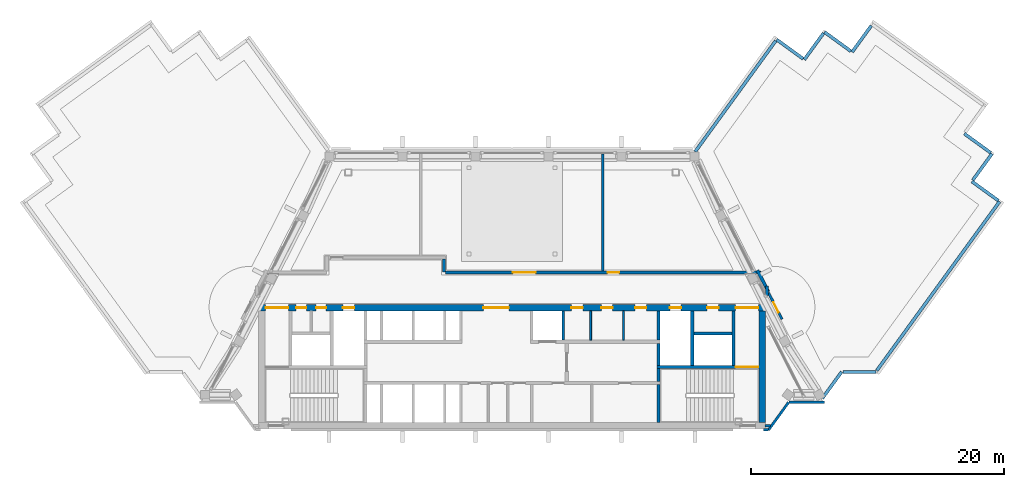
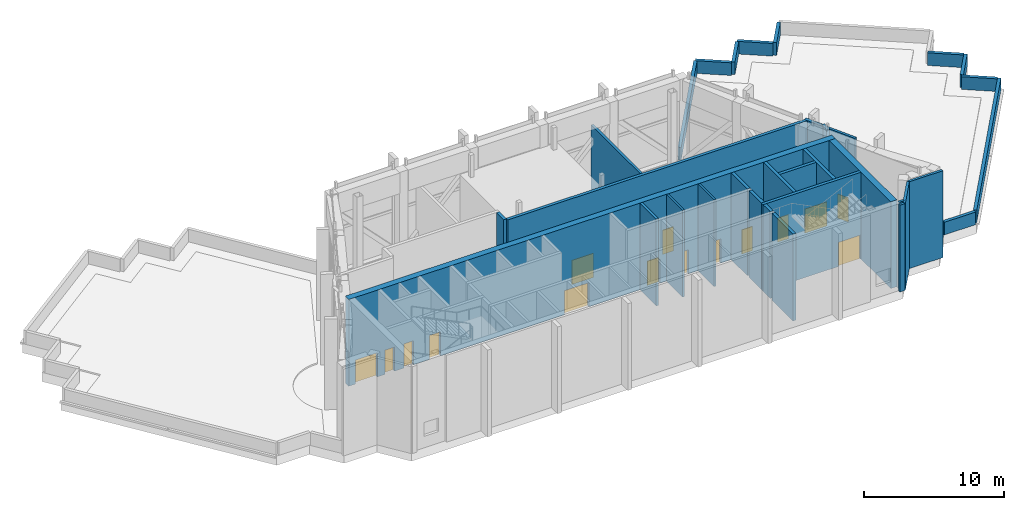
# One storey, part 10 of 14: 34 walls, 15 doors, 15 openings.
"""IFC4 building model written with IfcOpenShell, lengths in metres."""

from ifc_helpers import new_model, si_unit, direction, frame, frame_2d, origin, place, context, subcontext, project, spatial, rectangle, extrude, material, layer, layer_set, type_object, element, fill, save


model = new_model("IFC4")

# Units and contexts
model_context = context("Model", 3, precision=1e-05, world=origin(), true_north=direction((0.0, 1.0)))
body_context = subcontext(model_context, "Body", "Model", "MODEL_VIEW")
ifc_project = project(units=[si_unit("LENGTHUNIT", "METRE"), si_unit("AREAUNIT", "SQUARE_METRE"), si_unit("VOLUMEUNIT", "CUBIC_METRE"), si_unit("PLANEANGLEUNIT", "RADIAN"), si_unit("MASSUNIT", "GRAM", prefix="KILO")], contexts=[model_context])

# Site, building, storey
site_placement = place(None, origin())
site = spatial("IfcSite", under=ifc_project, at=site_placement, CompositionType="ELEMENT")
building_placement = place(site_placement, origin())
building = spatial("IfcBuilding", under=site, at=building_placement, Name="Quipu Civic Tower", CompositionType="ELEMENT")
storey_placement = place(building_placement, frame((0.0, 0.0, 355.0)))
storey = spatial("IfcBuildingStorey", under=building, at=storey_placement, Name="L83", CompositionType="ELEMENT", Elevation=355.0)

# Walls
ifc_material_1 = material(Name="Fired clay blockwork", Category="masonry")
ifc_layer_1 = layer(ifc_material_1, 0.199951171875)
ifc_layer_set_1 = layer_set([ifc_layer_1], Name="Fired clay blockwork")
wall_type_1 = type_object("IfcWallType", Name="Blockwork wall 200", PredefinedType="SOLIDWALL", material=ifc_layer_set_1)
wall_1_placement = place(storey_placement, frame((7.177978515625, 1.449951171875, 0.0), z_axis=(0.0, 0.0, 1.0), x_axis=(0.0, 1.0, 0.0)))
element("IfcWall", 1, at=wall_1_placement, inside=storey, type_object=wall_type_1, Name="Partition P02", PredefinedType="SOLIDWALL", context=body_context, shape_type="SweptSolid", body=[
    extrude(rectangle(XDim=9.225830078125, YDim=0.199951171875, at=frame_2d((4.61279296875, 0.0))), origin(), (0.0, 0.0, 1.0), 5.75),
])
ifc_material_2 = material(Name="Precast concrete C40/50", Category="concrete")
wall_type_2 = type_object("IfcWallType", Name="Concrete parapet", PredefinedType="PARAPET", material=ifc_material_2)
wall_2_placement = place(storey_placement, frame((14.458984375, 10.875, 0.0), z_axis=(0.0, 0.0, 1.0), x_axis=(0.58778081331, 0.809020219466, 0.0)))
element("IfcWall", 2, at=wall_2_placement, inside=storey, type_object=wall_type_2, Name="Parapet L83.1", PredefinedType="PARAPET", context=body_context, shape_type="SweptSolid", body=[
    extrude(rectangle(XDim=10.808837890625, YDim=0.25, at=frame_2d((5.404296875, 0.0))), origin(), (0.0, 0.0, 1.0), 1.10009765625),
])
wall_3_placement = place(storey_placement, frame((20.8857421875, 19.720703125, 0.0), z_axis=(0.0, 0.0, 1.0), x_axis=(0.809043476975, -0.587748800394, 0.0)))
element("IfcWall", 3, at=wall_3_placement, inside=storey, type_object=wall_type_2, Name="Parapet L83.2", PredefinedType="PARAPET", context=body_context, shape_type="SweptSolid", body=[
    extrude(rectangle(XDim=2.574951171875, YDim=0.25, at=frame_2d((1.28759765625, 0.0))), origin(), (0.0, 0.0, 1.0), 1.10009765625),
])
wall_4_placement = place(storey_placement, frame((23.070068359375, 18.1337890625, 0.0), z_axis=(0.0, 0.0, 1.0), x_axis=(0.587793888112, 0.809010720015, 0.0)))
element("IfcWall", 4, at=wall_4_placement, inside=storey, type_object=wall_type_2, Name="Parapet L83.3", PredefinedType="PARAPET", context=body_context, shape_type="SweptSolid", body=[
    extrude(rectangle(XDim=2.57470703125, YDim=0.25, at=frame_2d((1.287353515625, 0.0))), origin(), (0.0, 0.0, 1.0), 1.10009765625),
])
for number, where, z_axis, x_axis, name in (
    (5, (24.656982421875, 20.318115234375, 0.0), (0.0, 0.0, 1.0), (0.808998391935, -0.587810855502, 0.0), "Parapet L83.4"),
    (6, (26.84130859375, 18.73095703125, 0.0), (0.0, 0.0, 1.0), (0.587810855502, 0.808998391935, 0.0), "Parapet L83.5"),
    (7, (35.7001953125, 12.294921875, 0.0), (0.0, 0.0, 1.0), (0.808998391935, -0.587810855502, 0.0), "Parapet L83.8"),
    (8, (37.884521484375, 10.707763671875, 0.0), (0.0, 0.0, 1.0), (-0.587810855502, -0.808998391935, 0.0), "Parapet L83.9"),
):
    element("IfcWall", number, at=place(storey_placement, frame(where, z_axis=z_axis, x_axis=x_axis)), inside=storey, type_object=wall_type_2, Name=name, PredefinedType="PARAPET", context=body_context, shape_type="SweptSolid", body=[
        extrude(rectangle(XDim=2.5751953125, YDim=0.25, at=frame_2d((1.28759765625, 0.0))), origin(), (0.0, 0.0, 1.0), 1.10009765625),
    ])
wall_5_placement = place(storey_placement, frame((36.297607421875, 8.5234375, 0.0), z_axis=(0.0, 0.0, 1.0), x_axis=(0.809010720015, -0.587793888112, 0.0)))
element("IfcWall", 9, at=wall_5_placement, inside=storey, type_object=wall_type_2, Name="Parapet L83.10", PredefinedType="PARAPET", context=body_context, shape_type="SweptSolid", body=[
    extrude(rectangle(XDim=2.57470703125, YDim=0.25, at=frame_2d((1.287353515625, 0.0))), origin(), (0.0, 0.0, 1.0), 1.10009765625),
])
wall_6_placement = place(storey_placement, frame((38.481689453125, 6.936279296875, 0.0), z_axis=(0.0, 0.0, 1.0), x_axis=(-0.587781671691, -0.809019595822, 0.0)))
element("IfcWall", 10, at=wall_6_placement, inside=storey, type_object=wall_type_2, Name="Parapet L83.11", PredefinedType="PARAPET", context=body_context, shape_type="SweptSolid", body=[
    extrude(rectangle(XDim=16.490966796875, YDim=0.25, at=frame_2d((8.24560546875, 0.0))), origin(), (0.0, 0.0, 1.0), 1.10009765625),
])
for number, where, z_axis, x_axis, name in (
    (11, (28.715087890625, -6.50634765625, 0.0), (0.0, 0.0, 1.0), (-1.0, 0.0, 0.0), "Parapet L83.12"),
    (12, (26.01513671875, -6.50634765625, 0.0), (0.0, 0.0, 1.0), (-0.587748800394, -0.809043476975, 0.0), "Parapet L83.13"),
):
    element("IfcWall", number, at=place(storey_placement, frame(where, z_axis=z_axis, x_axis=x_axis)), inside=storey, type_object=wall_type_2, Name=name, PredefinedType="PARAPET", context=body_context, shape_type="SweptSolid", body=[
        extrude(rectangle(XDim=2.574951171875, YDim=0.25, at=frame_2d((1.28759765625, 0.0))), origin(), (0.0, 0.0, 1.0), 1.10009765625),
    ])
ifc_material_3 = material(Name="Concrete C70/85", Category="concrete")
ifc_layer_2 = layer(ifc_material_3, 0.25)
ifc_layer_set_2 = layer_set([ifc_layer_2], Name="Concrete C70/85")
wall_type_3 = type_object("IfcWallType", Name="Core wall 250", PredefinedType="SHEAR", material=ifc_layer_set_2)
wall_7_placement = place(storey_placement, frame((11.574951171875, -10.5, 0.0), z_axis=(0.0, 0.0, 1.0), x_axis=(0.0, 1.0, 0.0)))
element("IfcWall", 13, at=wall_7_placement, inside=storey, type_object=wall_type_3, Name="Core wall", PredefinedType="SHEAR", context=body_context, shape_type="SweptSolid", body=[
    extrude(rectangle(XDim=3.0, YDim=0.25, at=frame_2d((1.5, 0.0))), origin(), (0.0, 0.0, 1.0), 7.550048828125),
])
wall_8_placement = place(storey_placement, frame((11.574951171875, -7.25, 0.0), z_axis=(0.0, 0.0, 1.0), x_axis=(0.0, 1.0, 0.0)))
element("IfcWall", 14, at=wall_8_placement, inside=storey, type_object=wall_type_3, Name="Core wall", PredefinedType="SHEAR", context=body_context, shape_type="SweptSolid", body=[
    extrude(rectangle(XDim=1.0, YDim=0.25, at=frame_2d((0.5, 0.0))), origin(), (0.0, 0.0, 1.0), 7.550048828125),
])

# Wall, opening, door
wall_9_placement = place(storey_placement, frame((19.5, -6.125, 0.0), z_axis=(0.0, 0.0, 1.0), x_axis=(-1.0, 0.0, 0.0)))
wall_9 = element("IfcWall", 15, at=wall_9_placement, inside=storey, type_object=wall_type_3, Name="Core wall", PredefinedType="SHEAR", context=body_context, shape_type="SweptSolid", body=[
    extrude(rectangle(XDim=8.050048828125, YDim=0.25, at=frame_2d((4.02490234375, 0.0))), origin(), (0.0, 0.0, 1.0), 7.550048828125),
])
opening_1_placement = place(wall_9_placement, frame((0.050048828125, 0.0, 0.0)))
opening_1 = element("IfcOpeningElement", 16, at=opening_1_placement, cuts=wall_9, Name="Opening CD-07", PredefinedType="OPENING", context=body_context, shape_type="SweptSolid", body=[
    extrude(rectangle(XDim=1.800048828125, YDim=2.10009765625, at=frame_2d((0.89990234375, 1.050048828125))), frame((0.0, 0.135009765625, 0.0), z_axis=(0.0, -1.0, 0.0), x_axis=(1.0, 0.0, 0.0)), (0.0, 0.0, 1.0), 0.27001953125),
])
ifc_material_4 = material(Name="Fire rated steel door", Category="steel")
door_type_1 = type_object("IfcDoorType", Name="Fire door FD90 double 1800 x 2100", OperationType="NOTDEFINED", PredefinedType="DOOR", material=ifc_material_4)
door_1_placement = place(opening_1_placement, origin())
door_1 = element("IfcDoor", 17, at=door_1_placement, inside=storey, type_object=door_type_1, Name="Door", OperationType="DOUBLE_DOOR_SINGLE_SWING", OverallHeight=2.10009765625, OverallWidth=1.800048828125, PredefinedType="DOOR", context=body_context, shape_type="SweptSolid", body=[
    extrude(rectangle(XDim=1.800048828125, YDim=2.10009765625, at=frame_2d((0.89990234375, 1.050048828125))), frame((0.0, 0.02490234375, 0.0), z_axis=(0.0, -1.0, 0.0), x_axis=(1.0, 0.0, 0.0)), (0.0, 0.0, 1.0), 0.050048828125),
])
fill(opening_1, door_1)

# Walls
wall_10_placement = place(storey_placement, frame((11.574951171875, -6.0, 0.0), z_axis=(0.0, 0.0, 1.0), x_axis=(0.0, 1.0, 0.0)))
element("IfcWall", 18, at=wall_10_placement, inside=storey, type_object=wall_type_3, Name="Core wall", PredefinedType="SHEAR", context=body_context, shape_type="SweptSolid", body=[
    extrude(rectangle(XDim=1.75, YDim=0.25, at=frame_2d((0.875, 0.0))), origin(), (0.0, 0.0, 1.0), 7.550048828125),
])
for number, where, z_axis, x_axis, name in (
    (19, (14.22509765625, -6.0, 0.0), (0.0, 0.0, 1.0), (0.0, 1.0, 0.0), "Core wall"),
    (20, (17.47509765625, -6.0, 0.0), (0.0, 0.0, 1.0), (0.0, 1.0, 0.0), "Core wall"),
):
    element("IfcWall", number, at=place(storey_placement, frame(where, z_axis=z_axis, x_axis=x_axis)), inside=storey, type_object=wall_type_3, Name=name, PredefinedType="SHEAR", context=body_context, shape_type="SweptSolid", body=[
        extrude(rectangle(XDim=4.300048828125, YDim=0.25, at=frame_2d((2.14990234375, 0.0))), origin(), (0.0, 0.0, 1.0), 7.550048828125),
    ])
wall_11_placement = place(storey_placement, frame((11.574951171875, -4.0, 0.0), z_axis=(0.0, 0.0, 1.0), x_axis=(0.0, 1.0, 0.0)))
element("IfcWall", 21, at=wall_11_placement, inside=storey, type_object=wall_type_3, Name="Core wall", PredefinedType="SHEAR", context=body_context, shape_type="SweptSolid", body=[
    extrude(rectangle(XDim=2.300048828125, YDim=0.25, at=frame_2d((1.14990234375, 0.0))), origin(), (0.0, 0.0, 1.0), 7.550048828125),
])
wall_12_placement = place(storey_placement, frame((14.35009765625, -3.47509765625, 0.0), z_axis=(0.0, 0.0, 1.0), x_axis=(1.0, 0.0, 0.0)))
element("IfcWall", 22, at=wall_12_placement, inside=storey, type_object=wall_type_3, Name="Core wall", PredefinedType="SHEAR", context=body_context, shape_type="SweptSolid", body=[
    extrude(rectangle(XDim=3.0, YDim=0.25, at=frame_2d((1.5, 0.0))), origin(), (0.0, 0.0, 1.0), 7.550048828125),
])
ifc_material_5 = material(Name="Concrete C70/85", Category="concrete")
ifc_layer_3 = layer(ifc_material_5, 0.5)
ifc_layer_set_3 = layer_set([ifc_layer_3], Name="Concrete C70/85")
wall_type_4 = type_object("IfcWallType", Name="Core wall 500", PredefinedType="SHEAR", material=ifc_layer_set_3)
wall_13_placement = place(storey_placement, frame((19.75, -10.5, 0.0), z_axis=(0.0, 0.0, 1.0), x_axis=(0.0, 1.0, 0.0)))
element("IfcWall", 23, at=wall_13_placement, inside=storey, type_object=wall_type_4, Name="Core wall", PredefinedType="SHEAR", context=body_context, shape_type="SweptSolid", body=[
    extrude(rectangle(XDim=8.800048828125, YDim=0.5, at=frame_2d((4.39990234375, 0.0))), origin(), (0.0, 0.0, 1.0), 7.550048828125),
])

# Wall, openings, doors
wall_14_placement = place(storey_placement, frame((20.0, -1.449951171875, 0.0), z_axis=(0.0, 0.0, 1.0), x_axis=(-1.0, 0.0, 0.0)))
wall_14 = element("IfcWall", 24, at=wall_14_placement, inside=storey, type_object=wall_type_4, Name="Core wall", PredefinedType="SHEAR", context=body_context, shape_type="SweptSolid", body=[
    extrude(rectangle(XDim=40.0, YDim=0.5, at=frame_2d((20.0, 0.0))), origin(), (0.0, 0.0, 1.0), 7.550048828125),
])
opening_2_placement = place(wall_14_placement, frame((37.64990234375, 0.0, 0.0)))
opening_2 = element("IfcOpeningElement", 25, at=opening_2_placement, cuts=wall_14, Name="Opening CD-09", PredefinedType="OPENING", context=body_context, shape_type="SweptSolid", body=[
    extrude(rectangle(XDim=1.800048828125, YDim=2.10009765625, at=frame_2d((0.89990234375, 1.050048828125))), frame((0.0, 0.260009765625, 0.0), z_axis=(0.0, -1.0, 0.0), x_axis=(1.0, 0.0, 0.0)), (0.0, 0.0, 1.0), 0.52001953125),
])
opening_3_placement = place(wall_14_placement, frame((36.237548828125, 0.0, 0.0)))
opening_3 = element("IfcOpeningElement", 26, at=opening_3_placement, cuts=wall_14, Name="Opening CD-10", PredefinedType="OPENING", context=body_context, shape_type="SweptSolid", body=[
    extrude(rectangle(XDim=0.800048828125, YDim=2.10009765625, at=frame_2d((0.39990234375, 1.050048828125))), frame((0.0, 0.260009765625, 0.0), z_axis=(0.0, -1.0, 0.0), x_axis=(1.0, 0.0, 0.0)), (0.0, 0.0, 1.0), 0.52001953125),
])
opening_4_placement = place(wall_14_placement, frame((34.66259765625, 0.0, 0.0)))
opening_4 = element("IfcOpeningElement", 27, at=opening_4_placement, cuts=wall_14, Name="Opening CD-11", PredefinedType="OPENING", context=body_context, shape_type="SweptSolid", body=[
    extrude(rectangle(XDim=0.800048828125, YDim=2.10009765625, at=frame_2d((0.39990234375, 1.050048828125))), frame((0.0, 0.260009765625, 0.0), z_axis=(0.0, -1.0, 0.0), x_axis=(1.0, 0.0, 0.0)), (0.0, 0.0, 1.0), 0.52001953125),
])
opening_5_placement = place(wall_14_placement, frame((32.449951171875, 0.0, 0.0)))
opening_5 = element("IfcOpeningElement", 28, at=opening_5_placement, cuts=wall_14, Name="Opening CD-12", PredefinedType="OPENING", context=body_context, shape_type="SweptSolid", body=[
    extrude(rectangle(XDim=0.89990234375, YDim=2.10009765625, at=frame_2d((0.449951171875, 1.050048828125))), frame((0.0, 0.260009765625, 0.0), z_axis=(0.0, -1.0, 0.0), x_axis=(1.0, 0.0, 0.0)), (0.0, 0.0, 1.0), 0.52001953125),
])
opening_6_placement = place(wall_14_placement, frame((20.25, 0.0, 0.0)))
opening_6 = element("IfcOpeningElement", 29, at=opening_6_placement, cuts=wall_14, Name="Opening CD-13", PredefinedType="OPENING", context=body_context, shape_type="SweptSolid", body=[
    extrude(rectangle(XDim=2.0, YDim=2.10009765625, at=frame_2d((1.0, 1.050048828125))), frame((0.0, 0.260009765625, 0.0), z_axis=(0.0, -1.0, 0.0), x_axis=(1.0, 0.0, 0.0)), (0.0, 0.0, 1.0), 0.52001953125),
])
opening_7_placement = place(wall_14_placement, frame((14.41259765625, 0.0, 0.0)))
opening_7 = element("IfcOpeningElement", 30, at=opening_7_placement, cuts=wall_14, Name="Opening CD-14", PredefinedType="OPENING", context=body_context, shape_type="SweptSolid", body=[
    extrude(rectangle(XDim=0.89990234375, YDim=2.10009765625, at=frame_2d((0.449951171875, 1.050048828125))), frame((0.0, 0.260009765625, 0.0), z_axis=(0.0, -1.0, 0.0), x_axis=(1.0, 0.0, 0.0)), (0.0, 0.0, 1.0), 0.52001953125),
])
opening_8_placement = place(wall_14_placement, frame((12.050048828125, 0.0, 0.0)))
opening_8 = element("IfcOpeningElement", 31, at=opening_8_placement, cuts=wall_14, Name="Opening CD-15", PredefinedType="OPENING", context=body_context, shape_type="SweptSolid", body=[
    extrude(rectangle(XDim=0.89990234375, YDim=2.10009765625, at=frame_2d((0.449951171875, 1.050048828125))), frame((0.0, 0.260009765625, 0.0), z_axis=(0.0, -1.0, 0.0), x_axis=(1.0, 0.0, 0.0)), (0.0, 0.0, 1.0), 0.52001953125),
])
opening_9_placement = place(wall_14_placement, frame((9.387451171875, 0.0, 0.0)))
opening_9 = element("IfcOpeningElement", 32, at=opening_9_placement, cuts=wall_14, Name="Opening CD-16", PredefinedType="OPENING", context=body_context, shape_type="SweptSolid", body=[
    extrude(rectangle(XDim=0.89990234375, YDim=2.10009765625, at=frame_2d((0.449951171875, 1.050048828125))), frame((0.0, 0.260009765625, 0.0), z_axis=(0.0, -1.0, 0.0), x_axis=(1.0, 0.0, 0.0)), (0.0, 0.0, 1.0), 0.52001953125),
])
opening_10_placement = place(wall_14_placement, frame((6.64990234375, 0.0, 0.0)))
opening_10 = element("IfcOpeningElement", 33, at=opening_10_placement, cuts=wall_14, Name="Opening CD-17", PredefinedType="OPENING", context=body_context, shape_type="SweptSolid", body=[
    extrude(rectangle(XDim=0.89990234375, YDim=2.10009765625, at=frame_2d((0.449951171875, 1.050048828125))), frame((0.0, 0.260009765625, 0.0), z_axis=(0.0, -1.0, 0.0), x_axis=(1.0, 0.0, 0.0)), (0.0, 0.0, 1.0), 0.52001953125),
])
opening_11_placement = place(wall_14_placement, frame((3.699951171875, 0.0, 0.0)))
opening_11 = element("IfcOpeningElement", 34, at=opening_11_placement, cuts=wall_14, Name="Opening CD-18", PredefinedType="OPENING", context=body_context, shape_type="SweptSolid", body=[
    extrude(rectangle(XDim=0.89990234375, YDim=2.10009765625, at=frame_2d((0.449951171875, 1.050048828125))), frame((0.0, 0.260009765625, 0.0), z_axis=(0.0, -1.0, 0.0), x_axis=(1.0, 0.0, 0.0)), (0.0, 0.0, 1.0), 0.52001953125),
])
opening_12_placement = place(wall_14_placement, frame((0.550048828125, 0.0, 0.0)))
opening_12 = element("IfcOpeningElement", 35, at=opening_12_placement, cuts=wall_14, Name="Opening CD-19", PredefinedType="OPENING", context=body_context, shape_type="SweptSolid", body=[
    extrude(rectangle(XDim=1.800048828125, YDim=2.10009765625, at=frame_2d((0.89990234375, 1.050048828125))), frame((0.0, 0.260009765625, 0.0), z_axis=(0.0, -1.0, 0.0), x_axis=(1.0, 0.0, 0.0)), (0.0, 0.0, 1.0), 0.52001953125),
])
ifc_material_6 = material(Name="Fire rated steel door", Category="steel")
door_type_2 = type_object("IfcDoorType", Name="Fire door FD60 800 x 2100", OperationType="NOTDEFINED", PredefinedType="DOOR", material=ifc_material_6)
door_2_placement = place(opening_3_placement, origin())
door_2 = element("IfcDoor", 36, at=door_2_placement, inside=storey, type_object=door_type_2, Name="Door", OperationType="SINGLE_SWING_RIGHT", OverallHeight=2.10009765625, OverallWidth=0.800048828125, PredefinedType="DOOR", context=body_context, shape_type="SweptSolid", body=[
    extrude(rectangle(XDim=0.800048828125, YDim=2.10009765625, at=frame_2d((0.39990234375, 1.050048828125))), frame((0.0, 0.02490234375, 0.0), z_axis=(0.0, -1.0, 0.0), x_axis=(1.0, 0.0, 0.0)), (0.0, 0.0, 1.0), 0.050048828125),
])
fill(opening_3, door_2)
door_3_placement = place(opening_4_placement, origin())
door_3 = element("IfcDoor", 37, at=door_3_placement, inside=storey, type_object=door_type_2, Name="Door", OperationType="SINGLE_SWING_RIGHT", OverallHeight=2.10009765625, OverallWidth=0.800048828125, PredefinedType="DOOR", context=body_context, shape_type="SweptSolid", body=[
    extrude(rectangle(XDim=0.800048828125, YDim=2.10009765625, at=frame_2d((0.39990234375, 1.050048828125))), frame((0.0, 0.02490234375, 0.0), z_axis=(0.0, -1.0, 0.0), x_axis=(1.0, 0.0, 0.0)), (0.0, 0.0, 1.0), 0.050048828125),
])
fill(opening_4, door_3)
ifc_material_7 = material(Name="Fire rated steel door", Category="steel")
door_type_3 = type_object("IfcDoorType", Name="Fire door FD60 900 x 2100", OperationType="NOTDEFINED", PredefinedType="DOOR", material=ifc_material_7)
door_4_placement = place(opening_5_placement, origin())
door_4 = element("IfcDoor", 38, at=door_4_placement, inside=storey, type_object=door_type_3, Name="Riser door", OperationType="SINGLE_SWING_RIGHT", OverallHeight=2.10009765625, OverallWidth=0.89990234375, PredefinedType="DOOR", context=body_context, shape_type="SweptSolid", body=[
    extrude(rectangle(XDim=0.89990234375, YDim=2.10009765625, at=frame_2d((0.449951171875, 1.050048828125))), frame((0.0, 0.02490234375, 0.0), z_axis=(0.0, -1.0, 0.0), x_axis=(1.0, 0.0, 0.0)), (0.0, 0.0, 1.0), 0.050048828125),
])
fill(opening_5, door_4)
door_5_placement = place(opening_7_placement, origin())
door_5 = element("IfcDoor", 39, at=door_5_placement, inside=storey, type_object=door_type_3, Name="Door", OperationType="SINGLE_SWING_LEFT", OverallHeight=2.10009765625, OverallWidth=0.89990234375, PredefinedType="DOOR", context=body_context, shape_type="SweptSolid", body=[
    extrude(rectangle(XDim=0.89990234375, YDim=2.10009765625, at=frame_2d((0.449951171875, 1.050048828125))), frame((0.0, 0.02490234375, 0.0), z_axis=(0.0, -1.0, 0.0), x_axis=(1.0, 0.0, 0.0)), (0.0, 0.0, 1.0), 0.050048828125),
])
fill(opening_7, door_5)
door_6_placement = place(opening_8_placement, origin())
door_6 = element("IfcDoor", 40, at=door_6_placement, inside=storey, type_object=door_type_3, Name="Door", OperationType="SINGLE_SWING_LEFT", OverallHeight=2.10009765625, OverallWidth=0.89990234375, PredefinedType="DOOR", context=body_context, shape_type="SweptSolid", body=[
    extrude(rectangle(XDim=0.89990234375, YDim=2.10009765625, at=frame_2d((0.449951171875, 1.050048828125))), frame((0.0, 0.02490234375, 0.0), z_axis=(0.0, -1.0, 0.0), x_axis=(1.0, 0.0, 0.0)), (0.0, 0.0, 1.0), 0.050048828125),
])
fill(opening_8, door_6)
door_7_placement = place(opening_9_placement, origin())
door_7 = element("IfcDoor", 41, at=door_7_placement, inside=storey, type_object=door_type_3, Name="Door", OperationType="SINGLE_SWING_LEFT", OverallHeight=2.10009765625, OverallWidth=0.89990234375, PredefinedType="DOOR", context=body_context, shape_type="SweptSolid", body=[
    extrude(rectangle(XDim=0.89990234375, YDim=2.10009765625, at=frame_2d((0.449951171875, 1.050048828125))), frame((0.0, 0.02490234375, 0.0), z_axis=(0.0, -1.0, 0.0), x_axis=(1.0, 0.0, 0.0)), (0.0, 0.0, 1.0), 0.050048828125),
])
fill(opening_9, door_7)
door_8_placement = place(opening_10_placement, origin())
door_8 = element("IfcDoor", 42, at=door_8_placement, inside=storey, type_object=door_type_3, Name="Riser door", OperationType="SINGLE_SWING_LEFT", OverallHeight=2.10009765625, OverallWidth=0.89990234375, PredefinedType="DOOR", context=body_context, shape_type="SweptSolid", body=[
    extrude(rectangle(XDim=0.89990234375, YDim=2.10009765625, at=frame_2d((0.449951171875, 1.050048828125))), frame((0.0, 0.02490234375, 0.0), z_axis=(0.0, -1.0, 0.0), x_axis=(1.0, 0.0, 0.0)), (0.0, 0.0, 1.0), 0.050048828125),
])
fill(opening_10, door_8)
door_9_placement = place(opening_11_placement, origin())
door_9 = element("IfcDoor", 43, at=door_9_placement, inside=storey, type_object=door_type_3, Name="Door", OperationType="SINGLE_SWING_LEFT", OverallHeight=2.10009765625, OverallWidth=0.89990234375, PredefinedType="DOOR", context=body_context, shape_type="SweptSolid", body=[
    extrude(rectangle(XDim=0.89990234375, YDim=2.10009765625, at=frame_2d((0.449951171875, 1.050048828125))), frame((0.0, 0.02490234375, 0.0), z_axis=(0.0, -1.0, 0.0), x_axis=(1.0, 0.0, 0.0)), (0.0, 0.0, 1.0), 0.050048828125),
])
fill(opening_11, door_9)
door_10_placement = place(opening_2_placement, origin())
door_10 = element("IfcDoor", 44, at=door_10_placement, inside=storey, type_object=door_type_1, Name="Lobby door", OperationType="DOUBLE_DOOR_SINGLE_SWING", OverallHeight=2.10009765625, OverallWidth=1.800048828125, PredefinedType="DOOR", context=body_context, shape_type="SweptSolid", body=[
    extrude(rectangle(XDim=1.800048828125, YDim=2.10009765625, at=frame_2d((0.89990234375, 1.050048828125))), frame((0.0, 0.02490234375, 0.0), z_axis=(0.0, -1.0, 0.0), x_axis=(1.0, 0.0, 0.0)), (0.0, 0.0, 1.0), 0.050048828125),
])
fill(opening_2, door_10)
door_11_placement = place(opening_12_placement, origin())
door_11 = element("IfcDoor", 45, at=door_11_placement, inside=storey, type_object=door_type_1, Name="Lobby door", OperationType="DOUBLE_DOOR_SINGLE_SWING", OverallHeight=2.10009765625, OverallWidth=1.800048828125, PredefinedType="DOOR", context=body_context, shape_type="SweptSolid", body=[
    extrude(rectangle(XDim=1.800048828125, YDim=2.10009765625, at=frame_2d((0.89990234375, 1.050048828125))), frame((0.0, 0.02490234375, 0.0), z_axis=(0.0, -1.0, 0.0), x_axis=(1.0, 0.0, 0.0)), (0.0, 0.0, 1.0), 0.050048828125),
])
fill(opening_12, door_11)
ifc_material_8 = material(Name="Fire rated steel door", Category="steel")
door_type_4 = type_object("IfcDoorType", Name="Fire door FD90 double 2000 x 2100", OperationType="NOTDEFINED", PredefinedType="DOOR", material=ifc_material_8)
door_12_placement = place(opening_6_placement, origin())
door_12 = element("IfcDoor", 46, at=door_12_placement, inside=storey, type_object=door_type_4, Name="Lobby door", OperationType="DOUBLE_DOOR_SINGLE_SWING", OverallHeight=2.10009765625, OverallWidth=2.0, PredefinedType="DOOR", context=body_context, shape_type="SweptSolid", body=[
    extrude(rectangle(XDim=2.0, YDim=2.10009765625, at=frame_2d((1.0, 1.050048828125))), frame((0.0, 0.02490234375, 0.0), z_axis=(0.0, -1.0, 0.0), x_axis=(1.0, 0.0, 0.0)), (0.0, 0.0, 1.0), 0.050048828125),
])
fill(opening_6, door_12)

# Wall
ifc_material_9 = material(Name="Concrete C50/60", Category="concrete")
ifc_layer_4 = layer(ifc_material_9, 0.25)
ifc_layer_set_4 = layer_set([ifc_layer_4], Name="Concrete C50/60")
wall_type_5 = type_object("IfcWallType", Name="Corridor wall 250 concrete", PredefinedType="SOLIDWALL", material=ifc_layer_set_4)
wall_15_placement = place(storey_placement, frame((-5.375, 2.39990234375, 0.0), z_axis=(0.0, 0.0, 1.0), x_axis=(0.0, -1.0, 0.0)))
element("IfcWall", 47, at=wall_15_placement, inside=storey, type_object=wall_type_5, Name="Corridor wall C05", PredefinedType="SOLIDWALL", context=body_context, shape_type="SweptSolid", body=[
    extrude(rectangle(XDim=1.041259765625, YDim=0.25, at=frame_2d((0.5205078125, 0.0))), origin(), (0.0, 0.0, 1.0), 7.550048828125),
])

# Wall, openings, doors
wall_16_placement = place(storey_placement, frame((-5.246337890625, 1.324951171875, 0.0), z_axis=(0.0, 0.0, 1.0), x_axis=(1.0, 0.0, 0.0)))
wall_16 = element("IfcWall", 48, at=wall_16_placement, inside=storey, type_object=wall_type_5, Name="Corridor wall C06", PredefinedType="SOLIDWALL", context=body_context, shape_type="SweptSolid", body=[
    extrude(rectangle(XDim=24.91552734375, YDim=0.25, at=frame_2d((12.457763671875, 0.0))), origin(), (0.0, 0.0, 1.0), 7.550048828125),
])
opening_13_placement = place(wall_16_placement, frame((5.3203125, 0.0, 0.0)))
opening_13 = element("IfcOpeningElement", 49, at=opening_13_placement, cuts=wall_16, Name="Opening D002", PredefinedType="OPENING", context=body_context, shape_type="SweptSolid", body=[
    extrude(rectangle(XDim=1.800048828125, YDim=2.10009765625, at=frame_2d((0.89990234375, 1.050048828125))), frame((0.0, 0.135009765625, 0.0), z_axis=(0.0, -1.0, 0.0), x_axis=(1.0, 0.0, 0.0)), (0.0, 0.0, 1.0), 0.27001953125),
])
opening_14_placement = place(wall_16_placement, frame((12.794189453125, 0.0, 0.0)))
opening_14 = element("IfcOpeningElement", 50, at=opening_14_placement, cuts=wall_16, Name="Opening D003", PredefinedType="OPENING", context=body_context, shape_type="SweptSolid", body=[
    extrude(rectangle(XDim=0.89990234375, YDim=2.10009765625, at=frame_2d((0.449951171875, 1.050048828125))), frame((0.0, 0.135009765625, 0.0), z_axis=(0.0, -1.0, 0.0), x_axis=(1.0, 0.0, 0.0)), (0.0, 0.0, 1.0), 0.27001953125),
])
ifc_material_10 = material(Name="Fire rated timber door set with metal frame", Category="wood")
door_type_5 = type_object("IfcDoorType", Name="Double door 1800 x 2100 FD60", OperationType="DOUBLE_DOOR_SINGLE_SWING", PredefinedType="DOOR", material=ifc_material_10)
door_13_placement = place(opening_13_placement, origin())
door_13 = element("IfcDoor", 51, at=door_13_placement, inside=storey, type_object=door_type_5, Name="Door D002", OperationType="DOUBLE_DOOR_SINGLE_SWING", OverallHeight=2.10009765625, OverallWidth=1.800048828125, PredefinedType="DOOR", context=body_context, shape_type="SweptSolid", body=[
    extrude(rectangle(XDim=1.800048828125, YDim=2.10009765625, at=frame_2d((0.89990234375, 1.050048828125))), frame((0.0, 0.02490234375, 0.0), z_axis=(0.0, -1.0, 0.0), x_axis=(1.0, 0.0, 0.0)), (0.0, 0.0, 1.0), 0.050048828125),
])
fill(opening_13, door_13)
ifc_material_11 = material(Name="Fire rated timber door set with metal frame", Category="wood")
door_type_6 = type_object("IfcDoorType", Name="Single door 900 x 2100 FD60", OperationType="NOTDEFINED", PredefinedType="DOOR", material=ifc_material_11)
door_14_placement = place(opening_14_placement, origin())
door_14 = element("IfcDoor", 52, at=door_14_placement, inside=storey, type_object=door_type_6, Name="Door D003", OperationType="SINGLE_SWING_LEFT", OverallHeight=2.10009765625, OverallWidth=0.89990234375, PredefinedType="DOOR", context=body_context, shape_type="SweptSolid", body=[
    extrude(rectangle(XDim=0.89990234375, YDim=2.10009765625, at=frame_2d((0.449951171875, 1.050048828125))), frame((0.0, 0.02490234375, 0.0), z_axis=(0.0, -1.0, 0.0), x_axis=(1.0, 0.0, 0.0)), (0.0, 0.0, 1.0), 0.050048828125),
])
fill(opening_14, door_14)

# Walls
wall_17_placement = place(storey_placement, frame((19.37255859375, 1.506591796875, 0.0), z_axis=(0.0, 0.0, 1.0), x_axis=(0.454061930084, -0.890970125003, 0.0)))
element("IfcWall", 53, at=wall_17_placement, inside=storey, type_object=wall_type_5, Name="Corridor wall C07", PredefinedType="SOLIDWALL", context=body_context, shape_type="SweptSolid", body=[
    extrude(rectangle(XDim=1.9072265625, YDim=0.25, at=frame_2d((0.95361328125, 0.0))), origin(), (0.0, 0.0, 1.0), 7.550048828125),
])
wall_18_placement = place(storey_placement, frame((20.125, 0.280029296875, 0.0), z_axis=(0.0, 0.0, 1.0), x_axis=(0.0, -1.0, 0.0)))
element("IfcWall", 54, at=wall_18_placement, inside=storey, type_object=wall_type_5, Name="Corridor wall C08", PredefinedType="SOLIDWALL", context=body_context, shape_type="SweptSolid", body=[
    extrude(rectangle(XDim=0.771240234375, YDim=0.25, at=frame_2d((0.3857421875, 0.0))), origin(), (0.0, 0.0, 1.0), 7.550048828125),
])
ifc_material_12 = material(Name="Gypsum board partition")
ifc_layer_5 = layer(ifc_material_12, 0.14990234375)
ifc_layer_set_5 = layer_set([ifc_layer_5], Name="Gypsum board partition")
wall_type_6 = type_object("IfcWallType", Name="Partition 150", PredefinedType="PARTITIONING", material=ifc_layer_set_5)
for number, where, z_axis, x_axis, name in (
    (55, (6.199951171875, -4.0, 0.0), (0.0, 0.0, 1.0), (0.0, 1.0, 0.0), "Partition"),
    (56, (8.800048828125, -4.0, 0.0), (0.0, 0.0, 1.0), (0.0, 1.0, 0.0), "Partition"),
):
    element("IfcWall", number, at=place(storey_placement, frame(where, z_axis=z_axis, x_axis=x_axis)), inside=storey, type_object=wall_type_6, Name=name, PredefinedType="PARTITIONING", context=body_context, shape_type="SweptSolid", body=[
        extrude(rectangle(XDim=2.300048828125, YDim=0.14990234375, at=frame_2d((1.14990234375, 0.0))), origin(), (0.0, 0.0, 1.0), 7.550048828125),
    ])
ifc_material_13 = material(Name="Precast concrete C40/50", Category="concrete")
wall_type_7 = type_object("IfcWallType", Name="Precast cladding wall", PredefinedType="SOLIDWALL", material=ifc_material_13)
wall_19_placement = place(storey_placement, frame((19.85009765625, -11.087890625, 0.0), z_axis=(0.0, 0.0, 1.0), x_axis=(1.0, 0.0, 0.0)))
element("IfcWall", 57, at=wall_19_placement, inside=storey, type_object=wall_type_7, Name="Precast cladding wall L83 8", PredefinedType="SOLIDWALL", context=body_context, shape_type="SweptSolid", body=[
    extrude(rectangle(XDim=0.40576171875, YDim=0.199951171875, at=frame_2d((0.202880859375, 0.0))), origin(), (0.0, 0.0, 1.0), 7.550048828125),
])
wall_20_placement = place(storey_placement, frame((20.253173828125, -11.083251953125, 0.0), z_axis=(0.0, 0.0, 1.0), x_axis=(0.587766567315, 0.809030569476, 0.0)))
element("IfcWall", 58, at=wall_20_placement, inside=storey, type_object=wall_type_7, Name="Precast cladding wall L83 9", PredefinedType="SOLIDWALL", context=body_context, shape_type="SweptSolid", body=[
    extrude(rectangle(XDim=2.687744140625, YDim=0.199951171875, at=frame_2d((1.34375, 0.0))), origin(), (0.0, 0.0, 1.0), 7.550048828125),
])
wall_21_placement = place(storey_placement, frame((21.8427734375, -8.90380859375, 0.0), z_axis=(0.0, 0.0, 1.0), x_axis=(1.0, 0.0, 0.0)))
element("IfcWall", 59, at=wall_21_placement, inside=storey, type_object=wall_type_7, Name="Precast cladding wall L83 10", PredefinedType="SOLIDWALL", context=body_context, shape_type="SweptSolid", body=[
    extrude(rectangle(XDim=2.812255859375, YDim=0.199951171875, at=frame_2d((1.40625, 0.0))), origin(), (0.0, 0.0, 1.0), 7.550048828125),
])
wall_22_placement = place(storey_placement, frame((19.97998046875, -10.75, 0.0), z_axis=(0.0, 0.0, 1.0), x_axis=(1.0, 0.0, 0.0)))
element("IfcWall", 60, at=wall_22_placement, inside=storey, type_object=wall_type_7, Name="Precast cladding return L83 E", PredefinedType="SOLIDWALL", context=body_context, shape_type="SweptSolid", body=[
    extrude(rectangle(XDim=0.41650390625, YDim=0.199951171875, at=frame_2d((0.208251953125, 0.0))), origin(), (0.0, 0.0, 1.0), 7.550048828125),
])

# Wall, opening, door
ifc_material_14 = material(Name="Precast concrete C40/50", Category="concrete")
wall_type_8 = type_object("IfcWallType", Name="Precast door surround", PredefinedType="SOLIDWALL", material=ifc_material_14)
wall_23_placement = place(storey_placement, frame((20.243896484375, -0.25830078125, 0.0), z_axis=(0.0, 0.0, 1.0), x_axis=(0.453964632037, -0.891019703968, 0.0)))
wall_23 = element("IfcWall", 61, at=wall_23_placement, inside=storey, type_object=wall_type_8, Name="Door surround RA-L83-2", PredefinedType="SOLIDWALL", context=body_context, shape_type="SweptSolid", body=[
    extrude(rectangle(XDim=2.353515625, YDim=0.199951171875, at=frame_2d((1.1767578125, 0.0))), origin(), (0.0, 0.0, 1.0), 7.550048828125),
])
opening_15_placement = place(wall_23_placement, frame((0.842529296875, 0.0, 0.0)))
opening_15 = element("IfcOpeningElement", 62, at=opening_15_placement, cuts=wall_23, Name="Opening RA-L83-2", PredefinedType="OPENING", context=body_context, shape_type="SweptSolid", body=[
    extrude(rectangle(XDim=0.89990234375, YDim=2.10009765625, at=frame_2d((0.449951171875, 1.050048828125))), frame((0.0, 0.10986328125, 0.0), z_axis=(0.0, -1.0, 0.0), x_axis=(1.0, 0.0, 0.0)), (0.0, 0.0, 1.0), 0.219970703125),
])
ifc_material_15 = material(Name="Steel framed door", Category="steel")
door_type_7 = type_object("IfcDoorType", Name="Roof access door", OperationType="SINGLE_SWING_RIGHT", PredefinedType="DOOR", material=ifc_material_15)
door_15_placement = place(opening_15_placement, origin())
door_15 = element("IfcDoor", 63, at=door_15_placement, inside=storey, type_object=door_type_7, Name="E5 door RA-L83-2", OperationType="SINGLE_SWING_RIGHT", OverallHeight=2.10009765625, OverallWidth=0.89990234375, PredefinedType="DOOR", context=body_context, shape_type="SweptSolid", body=[
    extrude(rectangle(XDim=0.89990234375, YDim=2.10009765625, at=frame_2d((0.449951171875, 1.050048828125))), frame((0.0, 0.02490234375, 0.0), z_axis=(0.0, -1.0, 0.0), x_axis=(1.0, 0.0, 0.0)), (0.0, 0.0, 1.0), 0.050048828125),
])
fill(opening_15, door_15)

# Wall
ifc_material_16 = material(Name="Concrete C40/50", Category="concrete")
ifc_layer_6 = layer(ifc_material_16, 0.199951171875)
ifc_layer_set_6 = layer_set([ifc_layer_6], Name="Concrete C40/50")
wall_type_9 = type_object("IfcWallType", Name="Shaft wall 200", PredefinedType="SOLIDWALL", material=ifc_layer_set_6)
wall_24_placement = place(storey_placement, frame((4.050048828125, -4.0, 0.0), z_axis=(0.0, 0.0, 1.0), x_axis=(0.0, 1.0, 0.0)))
element("IfcWall", 64, at=wall_24_placement, inside=storey, type_object=wall_type_9, Name="Shaft wall", PredefinedType="SOLIDWALL", context=body_context, shape_type="SweptSolid", body=[
    extrude(rectangle(XDim=2.300048828125, YDim=0.199951171875, at=frame_2d((1.14990234375, 0.0))), origin(), (0.0, 0.0, 1.0), 7.550048828125),
])

save(model, "model.ifc")
